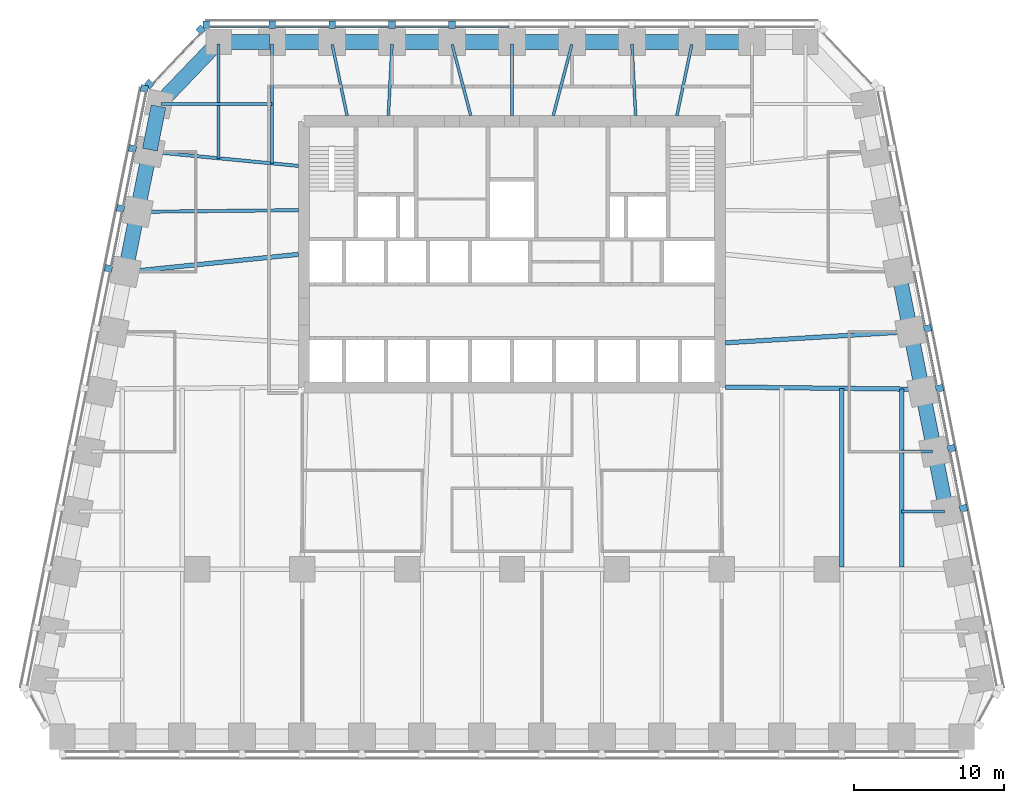
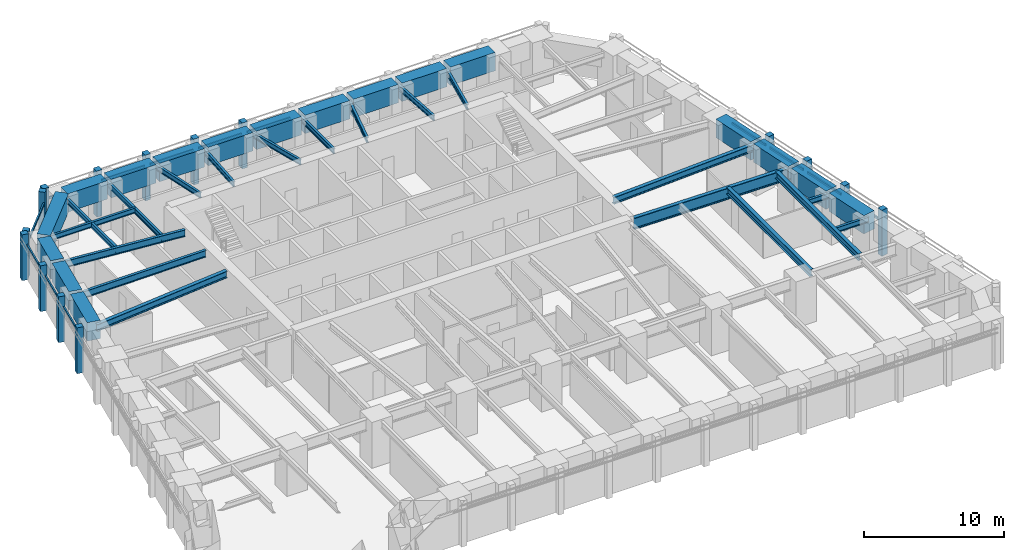
# One storey, part 3 of 10: 36 beams, 28 members, 4 elements without a shape of their own.
"""IFC4 building model written with IfcOpenShell, lengths in metres."""

import ifcopenshell
import ifcopenshell.guid

model = None  # the IFC model being written
_history = None  # IfcOwnerHistory: only IFC2X3 demands one
_inside = {}  # id of a spatial element -> (the spatial element, [elements in it])
_under = {}  # id of a project, library or spatial element -> (it, [spatial elements below it])
_declared = {}  # id of a project -> (the project, [libraries it declares])
_typed = {}  # id of a type object -> (the type object, [elements of that type])
_made_of = {}  # id of a material, layer set ... -> (it, [elements and type objects made of it])


def new_model(schema):
    """Start an empty IFC model of exactly this schema.

    Asked for "IFC4X3", IfcOpenShell would pick the latest addendum, in which some entities
    have other attributes; the version numbers below select the first issue.
    IFC2X3 requires an IfcOwnerHistory on every rooted entity: one is made here for all.
    """
    global model, _history
    if schema == "IFC4X3":
        model = ifcopenshell.file(schema_version=(4, 3, 0, 0))
    else:
        model = ifcopenshell.file(schema=schema)
    _inside.clear()
    _under.clear()
    _declared.clear()
    _typed.clear()
    _made_of.clear()
    _history = None
    if model.schema == "IFC2X3":
        org = make("IfcOrganization", Name="unknown")
        user = make(
            "IfcPersonAndOrganization",
            ThePerson=make("IfcPerson", FamilyName="unknown"),
            TheOrganization=org,
        )
        app = make(
            "IfcApplication",
            ApplicationDeveloper=org,
            Version="unknown",
            ApplicationFullName="unknown",
            ApplicationIdentifier="unknown",
        )
        _history = make(
            "IfcOwnerHistory",
            OwningUser=user,
            OwningApplication=app,
            ChangeAction="ADDED",
            CreationDate=0,
        )
    return model


def make(cls, **values):
    """One entity of the class cls with the attributes given. An attribute that is None is left unset."""
    return model.create_entity(
        cls, **{name: value for name, value in values.items() if value is not None}
    )


def rooted(cls, **values):
    """An entity with a GlobalId (a new one), such as an element, a storey or a relation."""
    return make(cls, GlobalId=ifcopenshell.guid.new(), OwnerHistory=_history, **values)


def si_unit(unit_type, name, prefix=None):
    """IfcSIUnit, for example si_unit("LENGTHUNIT", "METRE", prefix="MILLI")."""
    return make("IfcSIUnit", UnitType=unit_type, Prefix=prefix, Name=name)


def assignment(units):
    """IfcUnitAssignment: the units of a project."""
    return None if units is None else make("IfcUnitAssignment", Units=units)


def point(xyz):
    """IfcCartesianPoint."""
    return None if xyz is None else make("IfcCartesianPoint", Coordinates=xyz)


def direction(xyz):
    """IfcDirection."""
    return None if xyz is None else make("IfcDirection", DirectionRatios=xyz)


def frame(location, z_axis=None, x_axis=None):
    """IfcAxis2Placement3D, a coordinate frame: its origin and axes. An axis left out is left unset."""
    return make(
        "IfcAxis2Placement3D",
        Location=point(location),
        Axis=direction(z_axis),
        RefDirection=direction(x_axis),
    )


def frame_2d(location, x_axis=None):
    """IfcAxis2Placement2D, a coordinate frame in the plane: its origin and x axis."""
    return make(
        "IfcAxis2Placement2D", Location=point(location), RefDirection=direction(x_axis)
    )


def origin():
    """The frame at (0, 0, 0) with its axes left unset."""
    return frame((0.0, 0.0, 0.0))


def origin_2d():
    """The frame at (0, 0) in the plane with its x axis left unset."""
    return frame_2d((0.0, 0.0))


def place(relative_to, where):
    """IfcLocalPlacement: puts the frame where relative to a parent placement (None: the world)."""
    return make(
        "IfcLocalPlacement", PlacementRelTo=relative_to, RelativePlacement=where
    )


def context(
    kind, dimensions, precision=None, world=None, true_north=None, identifier=None
):
    """IfcGeometricRepresentationContext, for example the 3D "Model" context."""
    return make(
        "IfcGeometricRepresentationContext",
        ContextIdentifier=identifier,
        ContextType=kind,
        CoordinateSpaceDimension=dimensions,
        Precision=precision,
        WorldCoordinateSystem=world,
        TrueNorth=true_north,
    )


def subcontext(parent, identifier, kind, view, scale=None):
    """IfcGeometricRepresentationSubContext, for example "Body" below "Model"."""
    return make(
        "IfcGeometricRepresentationSubContext",
        ContextIdentifier=identifier,
        ContextType=kind,
        ParentContext=parent,
        TargetScale=scale,
        TargetView=view,
    )


def project(units=None, contexts=None):
    """IfcProject with its units and contexts."""
    return rooted(
        "IfcProject",
        Name="project",
        RepresentationContexts=contexts,
        UnitsInContext=assignment(units),
    )


def spatial(cls, under=None, at=None, **own):
    """A site, building, storey or space (cls), placed at a placement, below another one or the project."""
    s = rooted(cls, ObjectPlacement=at, **own)
    if under is not None:
        _under.setdefault(under.id(), (under, []))[1].append(s)
    return s


def profile(cls, at=None, kind="AREA", **sizes):
    """A parametric profile (cls). Its sizes go by their IFC names, for example OverallWidth=200.0."""
    return make(cls, ProfileType=kind, Position=at, **sizes)


def rectangle(**sizes):
    """IfcRectangleProfileDef."""
    return profile("IfcRectangleProfileDef", **sizes)


def i_section(**sizes):
    """IfcIShapeProfileDef."""
    return profile("IfcIShapeProfileDef", **sizes)


def extrude(swept, where, along, depth):
    """IfcExtrudedAreaSolid: the profile swept, set in the frame where, extruded along a direction by depth."""
    return make(
        "IfcExtrudedAreaSolid",
        SweptArea=swept,
        Position=where,
        ExtrudedDirection=direction(along),
        Depth=depth,
    )


def shape(context_of_items, identifier, shape_type, items):
    """IfcShapeRepresentation: the items that make up one representation, for example the "Body"."""
    return make(
        "IfcShapeRepresentation",
        ContextOfItems=context_of_items,
        RepresentationIdentifier=identifier,
        RepresentationType=shape_type,
        Items=items,
    )


def material(Name=None, Category=None):
    """IfcMaterial."""
    return make("IfcMaterial", Name=Name, Category=Category)


def material_profile(
    of_material, cross_section, Name=None, Category=None, Priority=None
):
    """IfcMaterialProfile: a cross section and its material."""
    return make(
        "IfcMaterialProfile",
        Name=Name,
        Material=of_material,
        Profile=cross_section,
        Priority=Priority,
        Category=Category,
    )


def profile_set(profiles, Name=None, composite=None):
    """IfcMaterialProfileSet."""
    return make(
        "IfcMaterialProfileSet",
        Name=Name,
        MaterialProfiles=profiles,
        CompositeProfile=composite,
    )


def made_of(thing, what):
    """Note that an element or type object is made of a material, layer set ...; save() writes the relation."""
    if what is not None:
        _made_of.setdefault(what.id(), (what, []))[1].append(thing)
    return thing


def type_object(cls, material=None, **own):
    """A type object (cls), such as IfcWallType, which elements share."""
    return made_of(rooted(cls, **own), material)


def element(
    cls,
    number,
    at=None,
    inside=None,
    cuts=None,
    type_object=None,
    material=None,
    context=None,
    identifier="Body",
    shape_type=None,
    held_by="IfcProductDefinitionShape",
    body=None,
    shapes=None,
    **own,
):
    """One element of the class cls, such as IfcWall. Its Tag is "e" and its number.

    at: its placement. inside: the storey or other place that contains it. cuts: it is an
    opening in that element (IfcRelVoidsElement). A single representation is given by context,
    identifier, shape_type and body (its items); several are given by shapes. held_by: the class
    of the entity that holds the representations. save() writes the other relations.
    """
    e = rooted(cls, Tag="e%d" % number, ObjectPlacement=at, **own)
    if body is not None:
        shapes = [shape(context, identifier, shape_type, body)]
    if shapes is not None:
        e.Representation = make(held_by, Representations=shapes)
    if inside is not None:
        _inside.setdefault(inside.id(), (inside, []))[1].append(e)
    if cuts is not None:
        rooted(
            "IfcRelVoidsElement", RelatingBuildingElement=cuts, RelatedOpeningElement=e
        )
    if type_object is not None:
        _typed.setdefault(type_object.id(), (type_object, []))[1].append(e)
    return made_of(e, material)


def aggregate(whole, parts):
    """IfcRelAggregates: a whole, such as a stair, and the parts it consists of."""
    return rooted("IfcRelAggregates", RelatingObject=whole, RelatedObjects=parts)


def save(model, path):
    """Write the relations noted so far, then the file.

    IfcRelAggregates (storeys below a building ...), IfcRelContainedInSpatialStructure (elements
    in a storey), IfcRelDefinesByType, IfcRelAssociatesMaterial and IfcRelDeclares: one each for
    every whole, place, type object, material and project.
    """
    for whole, parts in _under.values():
        aggregate(whole, parts)
    for where, things in _inside.values():
        rooted(
            "IfcRelContainedInSpatialStructure",
            RelatedElements=things,
            RelatingStructure=where,
        )
    for kind, things in _typed.values():
        rooted("IfcRelDefinesByType", RelatedObjects=things, RelatingType=kind)
    for what, things in _made_of.values():
        rooted("IfcRelAssociatesMaterial", RelatedObjects=things, RelatingMaterial=what)
    for by, libraries in _declared.values():
        rooted("IfcRelDeclares", RelatingContext=by, RelatedDefinitions=libraries)
    model.write(path)


model = new_model("IFC4")

# Units and contexts
model_context = context("Model", 3, precision=1e-05, world=origin(), true_north=direction((0.0, 1.0)))
body_context = subcontext(model_context, "Body", "Model", "MODEL_VIEW")
ifc_project = project(units=[si_unit("LENGTHUNIT", "METRE"), si_unit("AREAUNIT", "SQUARE_METRE"), si_unit("VOLUMEUNIT", "CUBIC_METRE"), si_unit("PLANEANGLEUNIT", "RADIAN"), si_unit("MASSUNIT", "GRAM", prefix="KILO")], contexts=[model_context])

# Site, building, storey
site_placement = place(None, origin())
site = spatial("IfcSite", under=ifc_project, at=site_placement, CompositionType="ELEMENT")
building_placement = place(site_placement, origin())
building = spatial("IfcBuilding", under=site, at=building_placement, Name="Isbrekke Arena Tower", CompositionType="ELEMENT")
storey_placement = place(building_placement, frame((0.0, 0.0, 143.0)))
storey = spatial("IfcBuildingStorey", under=building, at=storey_placement, Name="L32", CompositionType="ELEMENT", Elevation=143.0)

# Beams
ifc_material_1 = material(Name="Steel S355", Category="steel")
ifc_material_profile_1 = material_profile(ifc_material_1, i_section(OverallWidth=0.219970703125, OverallDepth=0.60009765625, WebThickness=0.011962890625, FlangeThickness=0.01904296875, FilletRadius=0.02392578125, at=origin_2d()), Name="IPE 600")
ifc_profile_set_1 = profile_set([ifc_material_profile_1], Name="Steel S355")
beam_type_1 = type_object("IfcBeamType", Name="B1 IPE 600", PredefinedType="BEAM", material=ifc_profile_set_1)
beam_1_placement = place(storey_placement, frame((-24.030517578125, 21.837158203125, 3.550048828125), z_axis=(0.995439798606, -0.095391862082, 0.0), x_axis=(0.095391862082, 0.995439798606, 0.0)))
element("IfcBeam", 1, at=beam_1_placement, inside=storey, type_object=beam_type_1, Name="B1 beam E-W02 L32", PredefinedType="BEAM", context=body_context, shape_type="SweptSolid", body=[
    extrude(i_section(OverallWidth=0.219970703125, OverallDepth=0.60009765625, WebThickness=0.011962890625, FlangeThickness=0.01904296875, FilletRadius=0.02392578125, at=origin_2d()), origin(), (0.0, 0.0, 1.0), 9.825439453125),
])
beam_2_placement = place(storey_placement, frame((-24.83984375, 17.838134765625, 3.550048828125), z_axis=(0.999944260169, 0.010558245831, 0.0), x_axis=(-0.010558245831, 0.999944260169, 0.0)))
element("IfcBeam", 2, at=beam_2_placement, inside=storey, type_object=beam_type_1, Name="B1 beam E-W03 L32", PredefinedType="BEAM", context=body_context, shape_type="SweptSolid", body=[
    extrude(i_section(OverallWidth=0.219970703125, OverallDepth=0.60009765625, WebThickness=0.011962890625, FlangeThickness=0.01904296875, FilletRadius=0.02392578125, at=origin_2d()), origin(), (0.0, 0.0, 1.0), 10.59033203125),
])
ifc_material_2 = material(Name="Steel S355", Category="steel")
ifc_material_profile_2 = material_profile(ifc_material_2, i_section(OverallWidth=0.18994140625, OverallDepth=0.449951171875, WebThickness=0.009521484375, FlangeThickness=0.0146484375, FilletRadius=0.02099609375, at=origin_2d()), Name="IPE 450")
ifc_profile_set_2 = profile_set([ifc_material_profile_2], Name="Steel S355")
beam_type_2 = type_object("IfcBeamType", Name="B2 IPE 450", PredefinedType="BEAM", material=ifc_profile_set_2)
beam_3_placement = place(storey_placement, frame((28.841064453125, -2.161865234375, 3.625), z_axis=(-1.0, 0.0, 0.0), x_axis=(0.0, -1.0, 0.0)))
element("IfcBeam", 3, at=beam_3_placement, inside=storey, type_object=beam_type_2, Name="B2 beam E-E04 L32", PredefinedType="BEAM", context=body_context, shape_type="SweptSolid", body=[
    extrude(i_section(OverallWidth=0.18994140625, OverallDepth=0.449951171875, WebThickness=0.009521484375, FlangeThickness=0.0146484375, FilletRadius=0.02099609375, at=origin_2d()), origin(), (0.0, 0.0, 1.0), 2.841064453125),
])
beam_4_placement = place(storey_placement, frame((28.041015625, 1.838134765625, 3.625), z_axis=(-1.0, 0.0, 0.0), x_axis=(0.0, -1.0, 0.0)))
element("IfcBeam", 4, at=beam_4_placement, inside=storey, type_object=beam_type_2, Name="B2 beam E-E05 L32", PredefinedType="BEAM", context=body_context, shape_type="SweptSolid", body=[
    extrude(i_section(OverallWidth=0.18994140625, OverallDepth=0.449951171875, WebThickness=0.009521484375, FlangeThickness=0.0146484375, FilletRadius=0.02099609375, at=origin_2d()), origin(), (0.0, 0.0, 1.0), 2.041015625),
])
beam_5_placement = place(storey_placement, frame((-23.40283203125, 25.029296875, 3.625), z_axis=(1.0, 0.0, 0.0), x_axis=(0.0, 1.0, 0.0)))
element("IfcBeam", 5, at=beam_5_placement, inside=storey, type_object=beam_type_2, Name="B2 beam E-W01 L32", PredefinedType="BEAM", context=body_context, shape_type="SweptSolid", body=[
    extrude(i_section(OverallWidth=0.18994140625, OverallDepth=0.449951171875, WebThickness=0.009521484375, FlangeThickness=0.0146484375, FilletRadius=0.02099609375, at=origin_2d()), origin(), (0.0, 0.0, 1.0), 7.40283203125),
])
ifc_material_3 = material(Name="Steel S355", Category="steel")
ifc_material_profile_3 = material_profile(ifc_material_3, i_section(OverallWidth=0.18994140625, OverallDepth=0.449951171875, WebThickness=0.009521484375, FlangeThickness=0.0146484375, FilletRadius=0.02099609375, at=origin_2d()), Name="IPE 450")
ifc_profile_set_3 = profile_set([ifc_material_profile_3], Name="Steel S355")
beam_type_3 = type_object("IfcBeamType", Name="B3 IPE 450", PredefinedType="BEAM", material=ifc_profile_set_3)
beam_6_placement = place(storey_placement, frame((-16.0, 29.02490234375, 3.625), z_axis=(0.0, -1.0, 0.0), x_axis=(1.0, 0.0, 0.0)))
element("IfcBeam", 6, at=beam_6_placement, inside=storey, type_object=beam_type_3, Name="B3 beam N-N10 L32", PredefinedType="BEAM", context=body_context, shape_type="SweptSolid", body=[
    extrude(i_section(OverallWidth=0.18994140625, OverallDepth=0.449951171875, WebThickness=0.009521484375, FlangeThickness=0.0146484375, FilletRadius=0.02099609375, at=origin_2d()), origin(), (0.0, 0.0, 1.0), 7.957275390625),
])
beam_7_placement = place(storey_placement, frame((-19.574951171875, 29.02490234375, 3.625), z_axis=(0.0, -1.0, 0.0), x_axis=(1.0, 0.0, 0.0)))
element("IfcBeam", 7, at=beam_7_placement, inside=storey, type_object=beam_type_3, Name="B3 beam N-N11 L32", PredefinedType="BEAM", context=body_context, shape_type="SweptSolid", body=[
    extrude(i_section(OverallWidth=0.18994140625, OverallDepth=0.449951171875, WebThickness=0.009521484375, FlangeThickness=0.0146484375, FilletRadius=0.02099609375, at=origin_2d()), origin(), (0.0, 0.0, 1.0), 7.61474609375),
])
beam_8_placement = place(storey_placement, frame((11.99609375, 29.005859375, 3.625), z_axis=(-0.20499748459, -0.978762499952, 0.0), x_axis=(0.978762499952, -0.20499748459, 0.0)))
element("IfcBeam", 8, at=beam_8_placement, inside=storey, type_object=beam_type_3, Name="B3 beam N-N03 L32", PredefinedType="BEAM", context=body_context, shape_type="SweptSolid", body=[
    extrude(i_section(OverallWidth=0.18994140625, OverallDepth=0.449951171875, WebThickness=0.009521484375, FlangeThickness=0.0146484375, FilletRadius=0.02099609375, at=origin_2d()), origin(), (0.0, 0.0, 1.0), 4.859130859375),
])
beam_9_placement = place(storey_placement, frame((8.000244140625, 29.02001953125, 3.625), z_axis=(0.052287879538, -0.998632053187, 0.0), x_axis=(0.998632053187, 0.052287879538, 0.0)))
element("IfcBeam", 9, at=beam_9_placement, inside=storey, type_object=beam_type_3, Name="B3 beam N-N04 L32", PredefinedType="BEAM", context=body_context, shape_type="SweptSolid", body=[
    extrude(i_section(OverallWidth=0.18994140625, OverallDepth=0.449951171875, WebThickness=0.009521484375, FlangeThickness=0.0146484375, FilletRadius=0.02099609375, at=origin_2d()), origin(), (0.0, 0.0, 1.0), 4.776611328125),
])
beam_10_placement = place(storey_placement, frame((3.993896484375, 29.001708984375, 3.625), z_axis=(-0.253245319824, -0.967402092197, 0.0), x_axis=(0.967402092197, -0.253245319824, 0.0)))
element("IfcBeam", 10, at=beam_10_placement, inside=storey, type_object=beam_type_3, Name="B3 beam N-N05 L32", PredefinedType="BEAM", context=body_context, shape_type="SweptSolid", body=[
    extrude(i_section(OverallWidth=0.18994140625, OverallDepth=0.449951171875, WebThickness=0.009521484375, FlangeThickness=0.0146484375, FilletRadius=0.02099609375, at=origin_2d()), origin(), (0.0, 0.0, 1.0), 4.911865234375),
])
beam_11_placement = place(storey_placement, frame((0.0, 29.02490234375, 3.625), z_axis=(0.0, -1.0, 0.0), x_axis=(1.0, 0.0, 0.0)))
element("IfcBeam", 11, at=beam_11_placement, inside=storey, type_object=beam_type_3, Name="B3 beam N-N06 L32", PredefinedType="BEAM", context=body_context, shape_type="SweptSolid", body=[
    extrude(i_section(OverallWidth=0.18994140625, OverallDepth=0.449951171875, WebThickness=0.009521484375, FlangeThickness=0.0146484375, FilletRadius=0.02099609375, at=origin_2d()), origin(), (0.0, 0.0, 1.0), 4.77490234375),
])
beam_12_placement = place(storey_placement, frame((-3.993896484375, 29.001708984375, 3.625), z_axis=(0.253245319824, -0.967402092197, 0.0), x_axis=(0.967402092197, 0.253245319824, 0.0)))
element("IfcBeam", 12, at=beam_12_placement, inside=storey, type_object=beam_type_3, Name="B3 beam N-N07 L32", PredefinedType="BEAM", context=body_context, shape_type="SweptSolid", body=[
    extrude(i_section(OverallWidth=0.18994140625, OverallDepth=0.449951171875, WebThickness=0.009521484375, FlangeThickness=0.0146484375, FilletRadius=0.02099609375, at=origin_2d()), origin(), (0.0, 0.0, 1.0), 4.911865234375),
])
beam_13_placement = place(storey_placement, frame((-8.000244140625, 29.02001953125, 3.625), z_axis=(-0.052287879538, -0.998632053187, 0.0), x_axis=(0.998632053187, -0.052287879538, 0.0)))
element("IfcBeam", 13, at=beam_13_placement, inside=storey, type_object=beam_type_3, Name="B3 beam N-N08 L32", PredefinedType="BEAM", context=body_context, shape_type="SweptSolid", body=[
    extrude(i_section(OverallWidth=0.18994140625, OverallDepth=0.449951171875, WebThickness=0.009521484375, FlangeThickness=0.0146484375, FilletRadius=0.02099609375, at=origin_2d()), origin(), (0.0, 0.0, 1.0), 4.776611328125),
])
beam_14_placement = place(storey_placement, frame((-11.99609375, 29.005859375, 3.625), z_axis=(0.20499748459, -0.978762499952, 0.0), x_axis=(0.978762499952, 0.20499748459, 0.0)))
element("IfcBeam", 14, at=beam_14_placement, inside=storey, type_object=beam_type_3, Name="B3 beam N-N09 L32", PredefinedType="BEAM", context=body_context, shape_type="SweptSolid", body=[
    extrude(i_section(OverallWidth=0.18994140625, OverallDepth=0.449951171875, WebThickness=0.009521484375, FlangeThickness=0.0146484375, FilletRadius=0.02099609375, at=origin_2d()), origin(), (0.0, 0.0, 1.0), 4.859130859375),
])
ifc_material_4 = material(Name="Steel S355", Category="steel")
ifc_material_profile_4 = material_profile(ifc_material_4, i_section(OverallWidth=0.300048828125, OverallDepth=0.60009765625, WebThickness=0.015380859375, FlangeThickness=0.030029296875, FilletRadius=0.027099609375, at=origin_2d()), Name="HEB 600")
ifc_profile_set_4 = profile_set([ifc_material_profile_4], Name="Steel S355")
beam_type_4 = type_object("IfcBeamType", Name="B7 HEB 600", PredefinedType="BEAM", material=ifc_profile_set_4)
beam_15_placement = place(storey_placement, frame((22.0, -5.84912109375, 3.550048828125), z_axis=(0.0, 1.0, 0.0), x_axis=(-1.0, 0.0, 0.0)))
element("IfcBeam", 15, at=beam_15_placement, inside=storey, type_object=beam_type_4, Name="B7 beam C-M13 L32", PredefinedType="BEAM", context=body_context, shape_type="SweptSolid", body=[
    extrude(i_section(OverallWidth=0.300048828125, OverallDepth=0.60009765625, WebThickness=0.015380859375, FlangeThickness=0.030029296875, FilletRadius=0.027099609375, at=origin_2d()), origin(), (0.0, 0.0, 1.0), 11.91064453125),
])
beam_16_placement = place(storey_placement, frame((26.0, -5.84912109375, 3.550048828125), z_axis=(0.0, 1.0, 0.0), x_axis=(-1.0, 0.0, 0.0)))
element("IfcBeam", 16, at=beam_16_placement, inside=storey, type_object=beam_type_4, Name="B7 beam C-M14 L32", PredefinedType="BEAM", context=body_context, shape_type="SweptSolid", body=[
    extrude(i_section(OverallWidth=0.300048828125, OverallDepth=0.60009765625, WebThickness=0.015380859375, FlangeThickness=0.030029296875, FilletRadius=0.027099609375, at=origin_2d()), origin(), (0.0, 0.0, 1.0), 11.864990234375),
])
beam_17_placement = place(storey_placement, frame((26.431884765625, 9.837646484375, 3.550048828125), z_axis=(-0.998172191876, -0.060434057993, 0.0), x_axis=(0.060434057993, -0.998172191876, 0.0)))
element("IfcBeam", 17, at=beam_17_placement, inside=storey, type_object=beam_type_4, Name="B7 beam E-E07 L32", PredefinedType="BEAM", context=body_context, shape_type="SweptSolid", body=[
    extrude(i_section(OverallWidth=0.300048828125, OverallDepth=0.60009765625, WebThickness=0.015380859375, FlangeThickness=0.030029296875, FilletRadius=0.027099609375, at=origin_2d()), origin(), (0.0, 0.0, 1.0), 12.2041015625),
])
beam_18_placement = place(storey_placement, frame((-25.6259765625, 13.83984375, 3.550048828125), z_axis=(0.994839949319, 0.10145676537, 0.0), x_axis=(-0.10145676537, 0.994839949319, 0.0)))
element("IfcBeam", 18, at=beam_18_placement, inside=storey, type_object=beam_type_4, Name="B7 beam E-W04 L32", PredefinedType="BEAM", context=body_context, shape_type="SweptSolid", body=[
    extrude(i_section(OverallWidth=0.300048828125, OverallDepth=0.60009765625, WebThickness=0.015380859375, FlangeThickness=0.030029296875, FilletRadius=0.027099609375, at=origin_2d()), origin(), (0.0, 0.0, 1.0), 11.43505859375),
])

# Curtain wall, members
ifc_material_5 = material(Name="Glazed aluminium curtain wall", Category="aluminium")
curtain_wall_type = type_object("IfcCurtainWallType", Name="CWM TOWER CURTAIN WALL MID ZONE", PredefinedType="USERDEFINED", material=ifc_material_5)
curtain_wall_1_placement = place(storey_placement, origin())
curtain_wall_1 = element("IfcCurtainWall", 19, at=curtain_wall_1_placement, inside=storey, type_object=curtain_wall_type, Name="CWM curtain wall L32-E", ObjectType="TOWER CURTAIN WALL MID ZONE", PredefinedType="USERDEFINED")
ifc_material_6 = material(Name="Aluminium mullion, pale brick slip cladding", Category="masonry")
ifc_material_profile_5 = material_profile(ifc_material_6, rectangle(XDim=0.449951171875, YDim=0.5, at=origin_2d()), Name="PIER 450X500")
ifc_profile_set_5 = profile_set([ifc_material_profile_5], Name="Aluminium mullion, pale brick slip cladding")
member_type_1 = type_object("IfcMemberType", Name="CWM-M PIER MULLION 450 x 500", PredefinedType="MULLION", material=ifc_profile_set_5)
member_1_placement = place(storey_placement, frame((30.11865234375, -1.936279296875, 0.0), z_axis=(0.0, 0.0, 1.0), x_axis=(-0.196116135138, 0.980580675691, 0.0)))
member_1 = element("IfcMember", 20, at=member_1_placement, type_object=member_type_1, Name="CWM-M mullion 4", PredefinedType="MULLION", context=body_context, shape_type="SweptSolid", body=[
    extrude(rectangle(XDim=0.449951171875, YDim=0.5, at=origin_2d()), origin(), (0.0, 0.0, 1.0), 4.0),
])
member_2_placement = place(storey_placement, frame((29.318603515625, 2.063720703125, 0.0), z_axis=(0.0, 0.0, 1.0), x_axis=(-0.196116135138, 0.980580675691, 0.0)))
member_2 = element("IfcMember", 21, at=member_2_placement, type_object=member_type_1, Name="CWM-M mullion 5", PredefinedType="MULLION", context=body_context, shape_type="SweptSolid", body=[
    extrude(rectangle(XDim=0.449951171875, YDim=0.5, at=origin_2d()), origin(), (0.0, 0.0, 1.0), 4.0),
])
member_3_placement = place(storey_placement, frame((28.518798828125, 6.063720703125, 0.0), z_axis=(0.0, 0.0, 1.0), x_axis=(-0.196116135138, 0.980580675691, 0.0)))
member_3 = element("IfcMember", 22, at=member_3_placement, type_object=member_type_1, Name="CWM-M mullion 6", PredefinedType="MULLION", context=body_context, shape_type="SweptSolid", body=[
    extrude(rectangle(XDim=0.449951171875, YDim=0.5, at=origin_2d()), origin(), (0.0, 0.0, 1.0), 4.0),
])
member_4_placement = place(storey_placement, frame((27.71875, 10.063720703125, 0.0), z_axis=(0.0, 0.0, 1.0), x_axis=(-0.196116135138, 0.980580675691, 0.0)))
member_4 = element("IfcMember", 23, at=member_4_placement, type_object=member_type_1, Name="CWM-M mullion 7", PredefinedType="MULLION", context=body_context, shape_type="SweptSolid", body=[
    extrude(rectangle(XDim=0.449951171875, YDim=0.5, at=origin_2d()), origin(), (0.0, 0.0, 1.0), 4.0),
])

curtain_wall_2_placement = place(storey_placement, origin())
curtain_wall_2 = element("IfcCurtainWall", 24, at=curtain_wall_2_placement, inside=storey, type_object=curtain_wall_type, Name="CWM curtain wall L32-N", ObjectType="TOWER CURTAIN WALL MID ZONE", PredefinedType="USERDEFINED")
member_5_placement = place(storey_placement, frame((-4.0, 30.324951171875, 0.0), z_axis=(0.0, 0.0, 1.0), x_axis=(-1.0, 0.0, 0.0)))
member_5 = element("IfcMember", 25, at=member_5_placement, type_object=member_type_1, Name="CWM-M mullion 7", PredefinedType="MULLION", context=body_context, shape_type="SweptSolid", body=[
    extrude(rectangle(XDim=0.449951171875, YDim=0.5, at=origin_2d()), origin(), (0.0, 0.0, 1.0), 4.0),
])
member_6_placement = place(storey_placement, frame((-8.0, 30.324951171875, 0.0), z_axis=(0.0, 0.0, 1.0), x_axis=(-1.0, 0.0, 0.0)))
member_6 = element("IfcMember", 26, at=member_6_placement, type_object=member_type_1, Name="CWM-M mullion 8", PredefinedType="MULLION", context=body_context, shape_type="SweptSolid", body=[
    extrude(rectangle(XDim=0.449951171875, YDim=0.5, at=origin_2d()), origin(), (0.0, 0.0, 1.0), 4.0),
])
member_7_placement = place(storey_placement, frame((-12.0, 30.324951171875, 0.0), z_axis=(0.0, 0.0, 1.0), x_axis=(-1.0, 0.0, 0.0)))
member_7 = element("IfcMember", 27, at=member_7_placement, type_object=member_type_1, Name="CWM-M mullion 9", PredefinedType="MULLION", context=body_context, shape_type="SweptSolid", body=[
    extrude(rectangle(XDim=0.449951171875, YDim=0.5, at=origin_2d()), origin(), (0.0, 0.0, 1.0), 4.0),
])
member_8_placement = place(storey_placement, frame((-16.0, 30.324951171875, 0.0), z_axis=(0.0, 0.0, 1.0), x_axis=(-1.0, 0.0, 0.0)))
member_8 = element("IfcMember", 28, at=member_8_placement, type_object=member_type_1, Name="CWM-M mullion 10", PredefinedType="MULLION", context=body_context, shape_type="SweptSolid", body=[
    extrude(rectangle(XDim=0.449951171875, YDim=0.5, at=origin_2d()), origin(), (0.0, 0.0, 1.0), 4.0),
])
member_9_placement = place(storey_placement, frame((-20.39990234375, 30.324951171875, 0.0), z_axis=(0.0, 0.0, 1.0), x_axis=(-1.0, 0.0, 0.0)))
member_9 = element("IfcMember", 29, at=member_9_placement, type_object=member_type_1, Name="CWM-M mullion 11", PredefinedType="MULLION", context=body_context, shape_type="SweptSolid", body=[
    extrude(rectangle(XDim=0.449951171875, YDim=0.5, at=origin_2d()), origin(), (0.0, 0.0, 1.0), 4.0),
])

curtain_wall_3_placement = place(storey_placement, origin())
curtain_wall_3 = element("IfcCurtainWall", 30, at=curtain_wall_3_placement, inside=storey, type_object=curtain_wall_type, Name="CWM curtain wall L32-NW", ObjectType="TOWER CURTAIN WALL MID ZONE", PredefinedType="USERDEFINED")
member_10_placement = place(storey_placement, frame((-20.759033203125, 29.985107421875, 0.0), z_axis=(0.0, 0.0, 1.0), x_axis=(-0.68874946192, -0.72499943359, 0.0)))
member_10 = element("IfcMember", 31, at=member_10_placement, type_object=member_type_1, Name="CWM-M mullion 1", PredefinedType="MULLION", context=body_context, shape_type="SweptSolid", body=[
    extrude(rectangle(XDim=0.449951171875, YDim=0.5, at=origin_2d()), origin(), (0.0, 0.0, 1.0), 4.0),
])
member_11_placement = place(storey_placement, frame((-24.207763671875, 26.35498046875, 0.0), z_axis=(0.0, 0.0, 1.0), x_axis=(-0.68874946192, -0.72499943359, 0.0)))
member_11 = element("IfcMember", 32, at=member_11_placement, type_object=member_type_1, Name="CWM-M mullion 2", PredefinedType="MULLION", context=body_context, shape_type="SweptSolid", body=[
    extrude(rectangle(XDim=0.449951171875, YDim=0.5, at=origin_2d()), origin(), (0.0, 0.0, 1.0), 4.0),
])

curtain_wall_4_placement = place(storey_placement, origin())
curtain_wall_4 = element("IfcCurtainWall", 33, at=curtain_wall_4_placement, inside=storey, type_object=curtain_wall_type, Name="CWM curtain wall L32-W", ObjectType="TOWER CURTAIN WALL MID ZONE", PredefinedType="USERDEFINED")
member_12_placement = place(storey_placement, frame((-24.518798828125, 26.063720703125, 0.0), z_axis=(0.0, 0.0, 1.0), x_axis=(-0.196116135138, -0.980580675691, 0.0)))
member_12 = element("IfcMember", 34, at=member_12_placement, type_object=member_type_1, Name="CWM-M mullion 1", PredefinedType="MULLION", context=body_context, shape_type="SweptSolid", body=[
    extrude(rectangle(XDim=0.449951171875, YDim=0.5, at=origin_2d()), origin(), (0.0, 0.0, 1.0), 4.0),
])
member_13_placement = place(storey_placement, frame((-25.318603515625, 22.063720703125, 0.0), z_axis=(0.0, 0.0, 1.0), x_axis=(-0.196116135138, -0.980580675691, 0.0)))
member_13 = element("IfcMember", 35, at=member_13_placement, type_object=member_type_1, Name="CWM-M mullion 2", PredefinedType="MULLION", context=body_context, shape_type="SweptSolid", body=[
    extrude(rectangle(XDim=0.449951171875, YDim=0.5, at=origin_2d()), origin(), (0.0, 0.0, 1.0), 4.0),
])
member_14_placement = place(storey_placement, frame((-26.11865234375, 18.063720703125, 0.0), z_axis=(0.0, 0.0, 1.0), x_axis=(-0.196116135138, -0.980580675691, 0.0)))
member_14 = element("IfcMember", 36, at=member_14_placement, type_object=member_type_1, Name="CWM-M mullion 3", PredefinedType="MULLION", context=body_context, shape_type="SweptSolid", body=[
    extrude(rectangle(XDim=0.449951171875, YDim=0.5, at=origin_2d()), origin(), (0.0, 0.0, 1.0), 4.0),
])
member_15_placement = place(storey_placement, frame((-26.918701171875, 14.063720703125, 0.0), z_axis=(0.0, 0.0, 1.0), x_axis=(-0.196116135138, -0.980580675691, 0.0)))
member_15 = element("IfcMember", 37, at=member_15_placement, type_object=member_type_1, Name="CWM-M mullion 4", PredefinedType="MULLION", context=body_context, shape_type="SweptSolid", body=[
    extrude(rectangle(XDim=0.449951171875, YDim=0.5, at=origin_2d()), origin(), (0.0, 0.0, 1.0), 4.0),
])

# Member
ifc_material_7 = material(Name="Aluminium transom", Category="aluminium")
ifc_material_profile_6 = material_profile(ifc_material_7, rectangle(XDim=0.1201171875, YDim=0.199951171875, at=origin_2d()), Name="TRANSOM 120X200")
ifc_profile_set_6 = profile_set([ifc_material_profile_6], Name="Aluminium transom")
member_type_2 = type_object("IfcMemberType", Name="CWM-T TRANSOM 120 x 200", PredefinedType="USERDEFINED", material=ifc_profile_set_6)
member_16_placement = place(storey_placement, frame((29.927490234375, -1.7451171875, 3.0), z_axis=(-0.196090262229, 0.980585849918, 0.0), x_axis=(-0.980585849918, -0.196090262229, 0.0)))
member_16 = element("IfcMember", 38, at=member_16_placement, type_object=member_type_2, Name="CWM-T transom 4", ObjectType="TRANSOM", PredefinedType="USERDEFINED", context=body_context, shape_type="SweptSolid", body=[
    extrude(rectangle(XDim=0.1201171875, YDim=0.199951171875, at=origin_2d()), origin(), (0.0, 0.0, 1.0), 3.62939453125),
])

member_17_placement = place(storey_placement, frame((29.12744140625, 2.2548828125, 3.0), z_axis=(-0.196090262229, 0.980585849918, 0.0), x_axis=(-0.980585849918, -0.196090262229, 0.0)))
member_17 = element("IfcMember", 39, at=member_17_placement, type_object=member_type_2, Name="CWM-T transom 5", ObjectType="TRANSOM", PredefinedType="USERDEFINED", context=body_context, shape_type="SweptSolid", body=[
    extrude(rectangle(XDim=0.1201171875, YDim=0.199951171875, at=origin_2d()), origin(), (0.0, 0.0, 1.0), 3.62939453125),
])

member_18_placement = place(storey_placement, frame((28.327392578125, 6.2548828125, 3.0), z_axis=(-0.196090262229, 0.980585849918, 0.0), x_axis=(-0.980585849918, -0.196090262229, 0.0)))
member_18 = element("IfcMember", 40, at=member_18_placement, type_object=member_type_2, Name="CWM-T transom 6", ObjectType="TRANSOM", PredefinedType="USERDEFINED", context=body_context, shape_type="SweptSolid", body=[
    extrude(rectangle(XDim=0.1201171875, YDim=0.199951171875, at=origin_2d()), origin(), (0.0, 0.0, 1.0), 3.62939453125),
])

member_19_placement = place(storey_placement, frame((27.527587890625, 10.2548828125, 3.0), z_axis=(-0.196154943734, 0.980572913173, 0.0), x_axis=(-0.980572913173, -0.196154943734, 0.0)))
member_19 = element("IfcMember", 41, at=member_19_placement, type_object=member_type_2, Name="CWM-T transom 7", ObjectType="TRANSOM", PredefinedType="USERDEFINED", context=body_context, shape_type="SweptSolid", body=[
    extrude(rectangle(XDim=0.1201171875, YDim=0.199951171875, at=origin_2d()), origin(), (0.0, 0.0, 1.0), 3.62939453125),
])

aggregate(curtain_wall_1, [member_1, member_2, member_3, member_4, member_16, member_17, member_18, member_19])

member_20_placement = place(storey_placement, frame((-0.22509765625, 30.175048828125, 3.0), z_axis=(-1.0, 0.0, 0.0), x_axis=(0.0, -1.0, 0.0)))
member_20 = element("IfcMember", 42, at=member_20_placement, type_object=member_type_2, Name="CWM-T transom 6", ObjectType="TRANSOM", PredefinedType="USERDEFINED", context=body_context, shape_type="SweptSolid", body=[
    extrude(rectangle(XDim=0.1201171875, YDim=0.199951171875, at=origin_2d()), origin(), (0.0, 0.0, 1.0), 3.5498046875),
])

member_21_placement = place(storey_placement, frame((-4.22509765625, 30.175048828125, 3.0), z_axis=(-1.0, 0.0, 0.0), x_axis=(0.0, -1.0, 0.0)))
member_21 = element("IfcMember", 43, at=member_21_placement, type_object=member_type_2, Name="CWM-T transom 7", ObjectType="TRANSOM", PredefinedType="USERDEFINED", context=body_context, shape_type="SweptSolid", body=[
    extrude(rectangle(XDim=0.1201171875, YDim=0.199951171875, at=origin_2d()), origin(), (0.0, 0.0, 1.0), 3.5498046875),
])

member_22_placement = place(storey_placement, frame((-8.22509765625, 30.175048828125, 3.0), z_axis=(-1.0, 0.0, 0.0), x_axis=(0.0, -1.0, 0.0)))
member_22 = element("IfcMember", 44, at=member_22_placement, type_object=member_type_2, Name="CWM-T transom 8", ObjectType="TRANSOM", PredefinedType="USERDEFINED", context=body_context, shape_type="SweptSolid", body=[
    extrude(rectangle(XDim=0.1201171875, YDim=0.199951171875, at=origin_2d()), origin(), (0.0, 0.0, 1.0), 3.5498046875),
])

member_23_placement = place(storey_placement, frame((-12.22509765625, 30.175048828125, 3.0), z_axis=(-1.0, 0.0, 0.0), x_axis=(0.0, -1.0, 0.0)))
member_23 = element("IfcMember", 45, at=member_23_placement, type_object=member_type_2, Name="CWM-T transom 9", ObjectType="TRANSOM", PredefinedType="USERDEFINED", context=body_context, shape_type="SweptSolid", body=[
    extrude(rectangle(XDim=0.1201171875, YDim=0.199951171875, at=origin_2d()), origin(), (0.0, 0.0, 1.0), 3.5498046875),
])

member_24_placement = place(storey_placement, frame((-16.22509765625, 30.175048828125, 3.0), z_axis=(-1.0, 0.0, 0.0), x_axis=(0.0, -1.0, 0.0)))
member_24 = element("IfcMember", 46, at=member_24_placement, type_object=member_type_2, Name="CWM-T transom 10", ObjectType="TRANSOM", PredefinedType="USERDEFINED", context=body_context, shape_type="SweptSolid", body=[
    extrude(rectangle(XDim=0.1201171875, YDim=0.199951171875, at=origin_2d()), origin(), (0.0, 0.0, 1.0), 3.949951171875),
])

aggregate(curtain_wall_2, [member_5, member_6, member_7, member_8, member_9, member_20, member_21, member_22, member_23, member_24])

member_25_placement = place(storey_placement, frame((-20.80517578125, 29.71875, 3.0), z_axis=(-0.688739606035, -0.725008796552, 0.0), x_axis=(0.725008796552, -0.688739606035, 0.0)))
member_25 = element("IfcMember", 47, at=member_25_placement, type_object=member_type_2, Name="CWM-T transom 1", ObjectType="TRANSOM", PredefinedType="USERDEFINED", context=body_context, shape_type="SweptSolid", body=[
    extrude(rectangle(XDim=0.1201171875, YDim=0.199951171875, at=origin_2d()), origin(), (0.0, 0.0, 1.0), 4.55712890625),
])

aggregate(curtain_wall_3, [member_10, member_11, member_25])

member_26_placement = place(storey_placement, frame((-24.415771484375, 25.813720703125, 3.0), z_axis=(-0.196090262229, -0.980585849918, 0.0), x_axis=(0.980585849918, -0.196090262229, 0.0)))
member_26 = element("IfcMember", 48, at=member_26_placement, type_object=member_type_2, Name="CWM-T transom 1", ObjectType="TRANSOM", PredefinedType="USERDEFINED", context=body_context, shape_type="SweptSolid", body=[
    extrude(rectangle(XDim=0.1201171875, YDim=0.199951171875, at=origin_2d()), origin(), (0.0, 0.0, 1.0), 3.62939453125),
])

member_27_placement = place(storey_placement, frame((-25.2158203125, 21.813720703125, 3.0), z_axis=(-0.196090262229, -0.980585849918, 0.0), x_axis=(0.980585849918, -0.196090262229, 0.0)))
member_27 = element("IfcMember", 49, at=member_27_placement, type_object=member_type_2, Name="CWM-T transom 2", ObjectType="TRANSOM", PredefinedType="USERDEFINED", context=body_context, shape_type="SweptSolid", body=[
    extrude(rectangle(XDim=0.1201171875, YDim=0.199951171875, at=origin_2d()), origin(), (0.0, 0.0, 1.0), 3.62939453125),
])

member_28_placement = place(storey_placement, frame((-26.015625, 17.813720703125, 3.0), z_axis=(-0.196154943734, -0.980572913173, 0.0), x_axis=(0.980572913173, -0.196154943734, 0.0)))
member_28 = element("IfcMember", 50, at=member_28_placement, type_object=member_type_2, Name="CWM-T transom 3", ObjectType="TRANSOM", PredefinedType="USERDEFINED", context=body_context, shape_type="SweptSolid", body=[
    extrude(rectangle(XDim=0.1201171875, YDim=0.199951171875, at=origin_2d()), origin(), (0.0, 0.0, 1.0), 3.62939453125),
])

aggregate(curtain_wall_4, [member_12, member_13, member_14, member_15, member_26, member_27, member_28])

# Beams
ifc_material_8 = material(Name="Steel S355", Category="steel")
ifc_material_profile_7 = material_profile(ifc_material_8, i_section(OverallWidth=0.302001953125, OverallDepth=1.008056640625, WebThickness=0.02099609375, FlangeThickness=0.0400390625, FilletRadius=0.030029296875, at=origin_2d()), Name="HEM 1000")
ifc_profile_set_7 = profile_set([ifc_material_profile_7], Name="Steel S355")
beam_type_5 = type_object("IfcBeamType", Name="G2 HEM 1000", PredefinedType="BEAM", material=ifc_profile_set_7)
beam_19_placement = place(storey_placement, frame((14.25, 6.14990234375, 3.345947265625), z_axis=(0.999934928157, -0.011407867963, 0.0), x_axis=(0.011407867963, 0.999934928157, 0.0)))
element("IfcBeam", 51, at=beam_19_placement, inside=storey, type_object=beam_type_5, Name="G2 beam G2-E L32", PredefinedType="BEAM", context=body_context, shape_type="SweptSolid", body=[
    extrude(i_section(OverallWidth=0.302001953125, OverallDepth=1.008056640625, WebThickness=0.02099609375, FlangeThickness=0.0400390625, FilletRadius=0.030029296875, at=origin_2d()), origin(), (0.0, 0.0, 1.0), 13.140380859375),
])
ifc_material_9 = material(Name="Concrete B80 (C80/95)", Category="concrete")
ifc_material_profile_8 = material_profile(ifc_material_9, rectangle(XDim=1.0, YDim=1.60009765625, at=origin_2d()), Name="RC 1000x1600")
ifc_profile_set_8 = profile_set([ifc_material_profile_8], Name="Concrete B80 (C80/95)")
beam_type_6 = type_object("IfcBeamType", Name="SB2 RC 1000 x 1600", PredefinedType="SPANDREL", material=ifc_profile_set_8)
for number, where, z_axis, x_axis, name in (
    (52, (28.961669921875, -2.0146484375, 3.199951171875), (-0.196128558387, 0.980578190959, 0.0), (-0.980578190959, -0.196128558387, 0.0), "SB2 spandrel E04-E05 L32"),
    (53, (28.16162109375, 1.9853515625, 3.199951171875), (-0.196128558387, 0.980578190959, 0.0), (-0.980578190959, -0.196128558387, 0.0), "SB2 spandrel E05-E06 L32"),
    (54, (27.361572265625, 5.9853515625, 3.199951171875), (-0.196128558387, 0.980578190959, 0.0), (-0.980578190959, -0.196128558387, 0.0), "SB2 spandrel E06-E07 L32"),
):
    element("IfcBeam", number, at=place(storey_placement, frame(where, z_axis=z_axis, x_axis=x_axis)), inside=storey, type_object=beam_type_6, Name=name, PredefinedType="SPANDREL", context=body_context, shape_type="SweptSolid", body=[
        extrude(rectangle(XDim=1.0, YDim=1.60009765625, at=origin_2d()), origin(), (0.0, 0.0, 1.0), 3.779296875),
    ])
beam_20_placement = place(storey_placement, frame((26.5615234375, 9.9853515625, 3.199951171875), z_axis=(-0.1960664412, 0.980590613169, 0.0), x_axis=(-0.980590613169, -0.1960664412, 0.0)))
element("IfcBeam", 55, at=beam_20_placement, inside=storey, type_object=beam_type_6, Name="SB2 spandrel E07-E08 L32", PredefinedType="SPANDREL", context=body_context, shape_type="SweptSolid", body=[
    extrude(rectangle(XDim=1.0, YDim=1.60009765625, at=origin_2d()), origin(), (0.0, 0.0, 1.0), 3.779052734375),
])
for number, where, z_axis, x_axis, name in (
    (56, (15.85009765625, 29.175048828125, 3.199951171875), (-1.0, 0.0, 0.0), (0.0, -1.0, 0.0), "SB2 spandrel N02-N03 L32"),
    (57, (11.85009765625, 29.175048828125, 3.199951171875), (-1.0, 0.0, 0.0), (0.0, -1.0, 0.0), "SB2 spandrel N03-N04 L32"),
    (58, (7.85009765625, 29.175048828125, 3.199951171875), (-1.0, 0.0, 0.0), (0.0, -1.0, 0.0), "SB2 spandrel N04-N05 L32"),
    (59, (3.85009765625, 29.175048828125, 3.199951171875), (-1.0, 0.0, 0.0), (0.0, -1.0, 0.0), "SB2 spandrel N05-N06 L32"),
    (60, (-0.14990234375, 29.175048828125, 3.199951171875), (-1.0, 0.0, 0.0), (0.0, -1.0, 0.0), "SB2 spandrel N06-N07 L32"),
    (61, (-4.14990234375, 29.175048828125, 3.199951171875), (-1.0, 0.0, 0.0), (0.0, -1.0, 0.0), "SB2 spandrel N07-N08 L32"),
    (62, (-8.14990234375, 29.175048828125, 3.199951171875), (-1.0, 0.0, 0.0), (0.0, -1.0, 0.0), "SB2 spandrel N08-N09 L32"),
    (63, (-12.14990234375, 29.175048828125, 3.199951171875), (-1.0, 0.0, 0.0), (0.0, -1.0, 0.0), "SB2 spandrel N09-N10 L32"),
):
    element("IfcBeam", number, at=place(storey_placement, frame(where, z_axis=z_axis, x_axis=x_axis)), inside=storey, type_object=beam_type_6, Name=name, PredefinedType="SPANDREL", context=body_context, shape_type="SweptSolid", body=[
        extrude(rectangle(XDim=1.0, YDim=1.60009765625, at=origin_2d()), origin(), (0.0, 0.0, 1.0), 3.7001953125),
    ])
beam_21_placement = place(storey_placement, frame((-16.14990234375, 29.175048828125, 3.199951171875), z_axis=(-1.0, 0.0, 0.0), x_axis=(0.0, -1.0, 0.0)))
element("IfcBeam", 64, at=beam_21_placement, inside=storey, type_object=beam_type_6, Name="SB2 spandrel N10-N11 L32", PredefinedType="SPANDREL", context=body_context, shape_type="SweptSolid", body=[
    extrude(rectangle(XDim=1.0, YDim=1.60009765625, at=origin_2d()), origin(), (0.0, 0.0, 1.0), 3.275146484375),
])
beam_22_placement = place(storey_placement, frame((-19.678955078125, 29.066650390625, 3.199951171875), z_axis=(-0.692339547635, -0.721571861134, 0.0), x_axis=(0.721571861134, -0.692339547635, 0.0)))
element("IfcBeam", 65, at=beam_22_placement, inside=storey, type_object=beam_type_6, Name="SB2 spandrel N11-W01 L32", PredefinedType="SPANDREL", context=body_context, shape_type="SweptSolid", body=[
    extrude(rectangle(XDim=1.0, YDim=1.60009765625, at=origin_2d()), origin(), (0.0, 0.0, 1.0), 5.4453125),
])
beam_23_placement = place(storey_placement, frame((-23.582275390625, 24.882080078125, 3.199951171875), z_axis=(-0.196116135138, -0.980580675691, 0.0), x_axis=(0.980580675691, -0.196116135138, 0.0)))
element("IfcBeam", 66, at=beam_23_placement, inside=storey, type_object=beam_type_6, Name="SB2 spandrel W01-W02 L32", PredefinedType="SPANDREL", context=body_context, shape_type="SweptSolid", body=[
    extrude(rectangle(XDim=1.0, YDim=1.60009765625, at=origin_2d()), origin(), (0.0, 0.0, 1.0), 2.9541015625),
])
for number, where, z_axis, x_axis, name in (
    (67, (-24.220458984375, 21.691162109375, 3.199951171875), (-0.196128558387, -0.980578190959, 0.0), (0.980578190959, -0.196128558387, 0.0), "SB2 spandrel W02-W03 L32"),
    (68, (-25.0205078125, 17.691162109375, 3.199951171875), (-0.196128558387, -0.980578190959, 0.0), (0.980578190959, -0.196128558387, 0.0), "SB2 spandrel W03-W04 L32"),
):
    element("IfcBeam", number, at=place(storey_placement, frame(where, z_axis=z_axis, x_axis=x_axis)), inside=storey, type_object=beam_type_6, Name=name, PredefinedType="SPANDREL", context=body_context, shape_type="SweptSolid", body=[
        extrude(rectangle(XDim=1.0, YDim=1.60009765625, at=origin_2d()), origin(), (0.0, 0.0, 1.0), 3.779296875),
    ])

save(model, "model.ifc")
